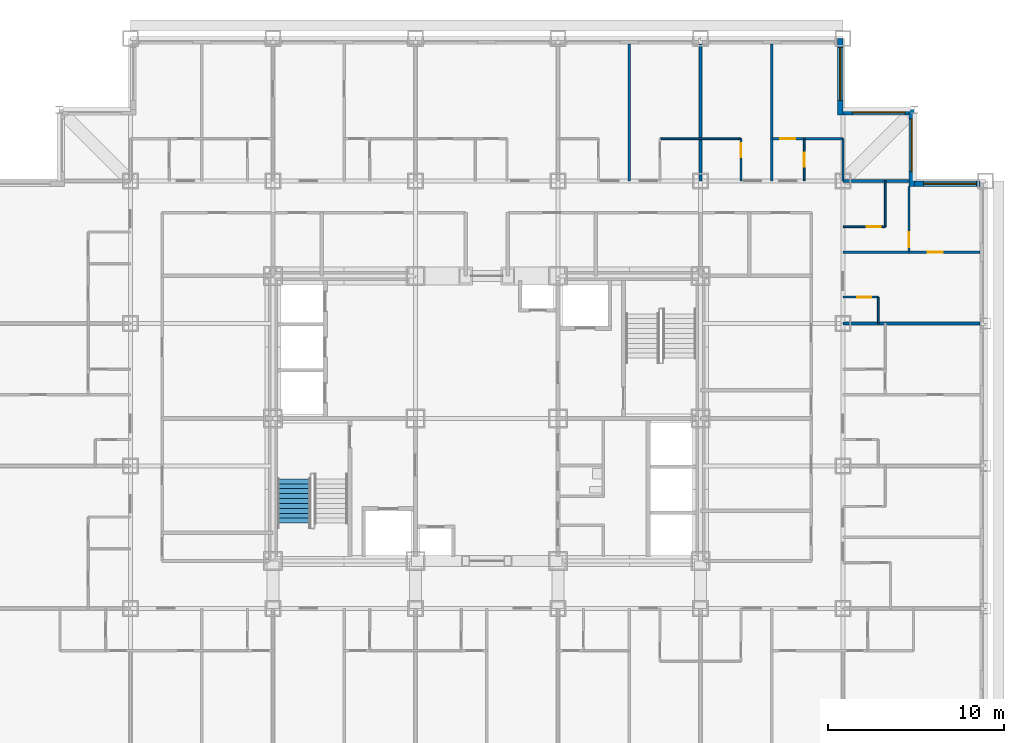
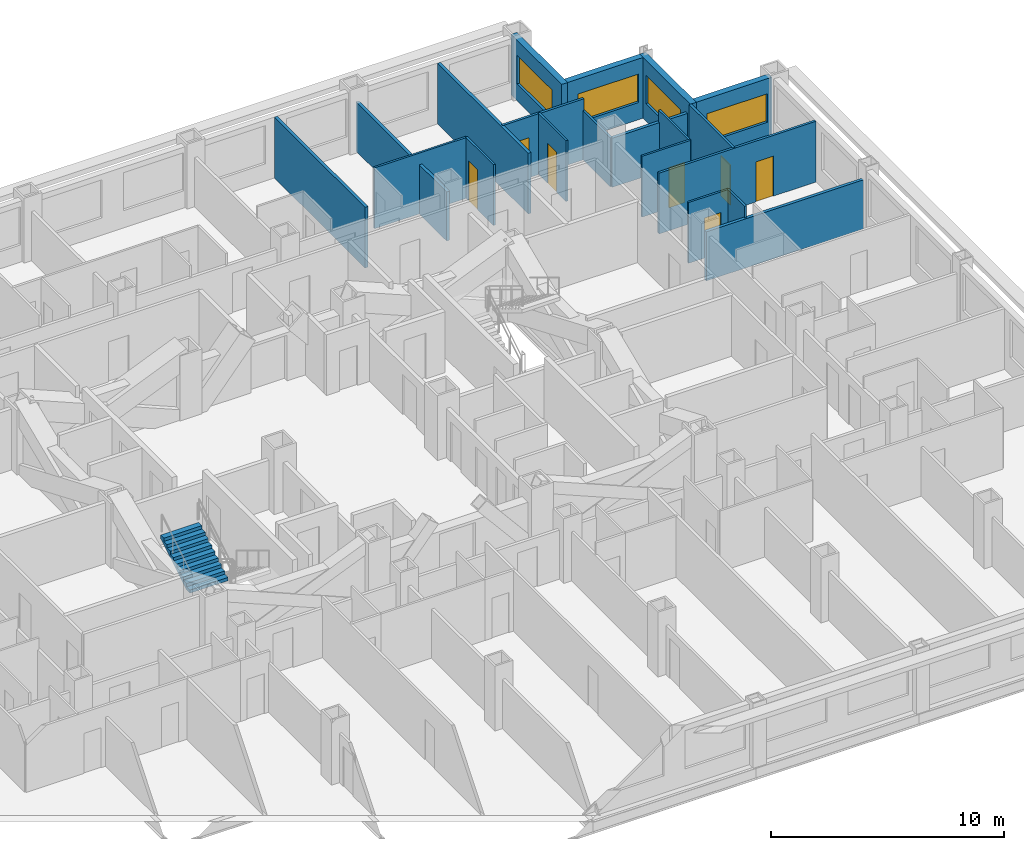
# One storey, part 11 of 14: 20 walls, 7 doors, 4 windows, 1 stair flight, 11 openings, 1 element without a shape of its own.
"""IFC4 building model written with IfcOpenShell, lengths in metres."""

from ifc_helpers import new_model, si_unit, direction, frame, frame_2d, origin, place, context, subcontext, project, spatial, rectangle, extrude, polygons, source, transform, mapped, material, layer, layer_set, type_object, element, fill, aggregate, save


model = new_model("IFC4")

# Units and contexts
model_context = context("Model", 3, precision=1e-05, world=origin(), true_north=direction((0.0, 1.0)))
body_context = subcontext(model_context, "Body", "Model", "MODEL_VIEW")
ifc_project = project(units=[si_unit("LENGTHUNIT", "METRE"), si_unit("AREAUNIT", "SQUARE_METRE"), si_unit("VOLUMEUNIT", "CUBIC_METRE"), si_unit("PLANEANGLEUNIT", "RADIAN"), si_unit("MASSUNIT", "GRAM", prefix="KILO")], contexts=[model_context])

# Site, building, storey
site_placement = place(None, origin())
site = spatial("IfcSite", under=ifc_project, at=site_placement, CompositionType="ELEMENT")
building_placement = place(site_placement, origin())
building = spatial("IfcBuilding", under=site, at=building_placement, Name="Kopane Lantern Tower", CompositionType="ELEMENT")
storey_placement = place(building_placement, frame((0.0, 0.0, 127.199951171875)))
storey = spatial("IfcBuildingStorey", under=building, at=storey_placement, Name="L32", CompositionType="ELEMENT", Elevation=127.199951171875)

# Wall, opening, door
ifc_material_1 = material(Name="Gypsum board on steel studs", Category="steel")
ifc_layer_1 = layer(ifc_material_1, 0.1201171875)
ifc_layer_set_1 = layer_set([ifc_layer_1], Name="APARTMENT INTERNAL WALL 120")
wall_type_1 = type_object("IfcWallType", Name="APARTMENT INTERNAL WALL 120", PredefinedType="PARTITIONING", material=ifc_layer_set_1)
wall_1_placement = place(storey_placement, frame((48.60009765625, 41.85009765625, 0.0), z_axis=(0.0, 0.0, 1.0), x_axis=(1.0, 0.0, 0.0)))
wall_1 = element("IfcWall", 1, at=wall_1_placement, inside=storey, type_object=wall_type_1, Name="Apartment Internal Wall 120 L32", PredefinedType="PARTITIONING", context=body_context, shape_type="SweptSolid", body=[
    extrude(rectangle(XDim=7.7998046875, YDim=0.1201171875, at=frame_2d((3.89990234375, 0.0))), origin(), (0.0, 0.0, 1.0), 3.18994140625),
])
opening_1_placement = place(wall_1_placement, frame((4.824951171875, 0.0, 0.0)))
opening_1 = element("IfcOpeningElement", 2, at=opening_1_placement, cuts=wall_1, Name="Opening L32-064", PredefinedType="OPENING", context=body_context, shape_type="SweptSolid", body=[
    extrude(rectangle(XDim=0.85009765625, YDim=2.10009765625, at=frame_2d((0.425048828125, 1.050048828125))), frame((0.0, 0.070068359375, 0.0), z_axis=(0.0, -1.0, 0.0), x_axis=(1.0, 0.0, 0.0)), (0.0, 0.0, 1.0), 0.14013671875),
])
ifc_material_2 = material(Name="Timber door set", Category="wood")
door_type_1 = type_object("IfcDoorType", Name="DOOR D4 850x2100", OperationType="SINGLE_SWING_LEFT", PredefinedType="DOOR", material=ifc_material_2)
door_1_placement = place(opening_1_placement, origin())
door_1 = element("IfcDoor", 3, at=door_1_placement, inside=storey, type_object=door_type_1, Name="Door L32-064", OperationType="SINGLE_SWING_LEFT", OverallHeight=2.10009765625, OverallWidth=0.85009765625, PredefinedType="DOOR", context=body_context, shape_type="SweptSolid", body=[
    extrude(rectangle(XDim=0.85009765625, YDim=2.10009765625, at=frame_2d((0.425048828125, 1.050048828125))), frame((0.0, 0.02490234375, 0.0), z_axis=(0.0, -1.0, 0.0), x_axis=(1.0, 0.0, 0.0)), (0.0, 0.0, 1.0), 0.050048828125),
])
fill(opening_1, door_1)

wall_2_placement = place(storey_placement, frame((44.550048828125, 48.300048828125, 0.0), z_axis=(0.0, 0.0, 1.0), x_axis=(1.0, 0.0, 0.0)))
wall_2 = element("IfcWall", 4, at=wall_2_placement, inside=storey, type_object=wall_type_1, Name="Apartment Internal Wall 120 L32", PredefinedType="PARTITIONING", context=body_context, shape_type="SweptSolid", body=[
    extrude(rectangle(XDim=4.050048828125, YDim=0.1201171875, at=frame_2d((2.02490234375, 0.0))), origin(), (0.0, 0.0, 1.0), 3.18994140625),
])
opening_2_placement = place(wall_2_placement, frame((0.47509765625, 0.0, 0.0)))
opening_2 = element("IfcOpeningElement", 5, at=opening_2_placement, cuts=wall_2, Name="Opening L32-075", PredefinedType="OPENING", context=body_context, shape_type="SweptSolid", body=[
    extrude(rectangle(XDim=0.85009765625, YDim=2.10009765625, at=frame_2d((0.425048828125, 1.050048828125))), frame((0.0, 0.070068359375, 0.0), z_axis=(0.0, -1.0, 0.0), x_axis=(1.0, 0.0, 0.0)), (0.0, 0.0, 1.0), 0.14013671875),
])
door_2_placement = place(opening_2_placement, origin())
door_2 = element("IfcDoor", 6, at=door_2_placement, inside=storey, type_object=door_type_1, Name="Door L32-075", OperationType="SINGLE_SWING_LEFT", OverallHeight=2.10009765625, OverallWidth=0.85009765625, PredefinedType="DOOR", context=body_context, shape_type="SweptSolid", body=[
    extrude(rectangle(XDim=0.85009765625, YDim=2.10009765625, at=frame_2d((0.425048828125, 1.050048828125))), frame((0.0, 0.02490234375, 0.0), z_axis=(0.0, -1.0, 0.0), x_axis=(1.0, 0.0, 0.0)), (0.0, 0.0, 1.0), 0.050048828125),
])
fill(opening_2, door_2)

wall_3_placement = place(storey_placement, frame((52.35009765625, 45.60009765625, 0.0), z_axis=(0.0, 0.0, 1.0), x_axis=(0.0, -1.0, 0.0)))
wall_3 = element("IfcWall", 7, at=wall_3_placement, inside=storey, type_object=wall_type_1, Name="Apartment Internal Wall 120 L32", PredefinedType="PARTITIONING", context=body_context, shape_type="SweptSolid", body=[
    extrude(rectangle(XDim=3.75, YDim=0.1201171875, at=frame_2d((1.875, 0.0))), origin(), (0.0, 0.0, 1.0), 3.18994140625),
])
opening_3_placement = place(wall_3_placement, frame((2.625, 0.0, 0.0)))
opening_3 = element("IfcOpeningElement", 8, at=opening_3_placement, cuts=wall_3, Name="Opening L32-087", PredefinedType="OPENING", context=body_context, shape_type="SweptSolid", body=[
    extrude(rectangle(XDim=0.85009765625, YDim=2.10009765625, at=frame_2d((0.425048828125, 1.050048828125))), frame((0.0, 0.070068359375, 0.0), z_axis=(0.0, -1.0, 0.0), x_axis=(1.0, 0.0, 0.0)), (0.0, 0.0, 1.0), 0.14013671875),
])
door_3_placement = place(opening_3_placement, origin())
door_3 = element("IfcDoor", 9, at=door_3_placement, inside=storey, type_object=door_type_1, Name="Door L32-087", OperationType="SINGLE_SWING_RIGHT", OverallHeight=2.10009765625, OverallWidth=0.85009765625, PredefinedType="DOOR", context=body_context, shape_type="SweptSolid", body=[
    extrude(rectangle(XDim=0.85009765625, YDim=2.10009765625, at=frame_2d((0.425048828125, 1.050048828125))), frame((0.0, 0.02490234375, 0.0), z_axis=(0.0, -1.0, 0.0), x_axis=(1.0, 0.0, 0.0)), (0.0, 0.0, 1.0), 0.050048828125),
])
fill(opening_3, door_3)

# Wall
ifc_material_3 = material(Name="Moisture-resistant board on steel studs", Category="steel")
ifc_layer_2 = layer(ifc_material_3, 0.10009765625)
ifc_layer_set_2 = layer_set([ifc_layer_2], Name="BATHROOM WALL 100")
wall_type_2 = type_object("IfcWallType", Name="BATHROOM WALL 100", PredefinedType="PARTITIONING", material=ifc_layer_set_2)
wall_4_placement = place(storey_placement, frame((38.199951171875, 48.300048828125, 0.0), z_axis=(0.0, 0.0, 1.0), x_axis=(1.0, 0.0, 0.0)))
element("IfcWall", 10, at=wall_4_placement, inside=storey, type_object=wall_type_2, Name="Bathroom Wall 100 L32", PredefinedType="PARTITIONING", context=body_context, shape_type="SweptSolid", body=[
    extrude(rectangle(XDim=4.60009765625, YDim=0.10009765625, at=frame_2d((2.300048828125, 0.0))), origin(), (0.0, 0.0, 1.0), 3.18994140625),
])

# Wall, opening, door
wall_5_placement = place(storey_placement, frame((42.800048828125, 45.89990234375, 0.0), z_axis=(0.0, 0.0, 1.0), x_axis=(0.0, 1.0, 0.0)))
wall_5 = element("IfcWall", 11, at=wall_5_placement, inside=storey, type_object=wall_type_2, Name="Bathroom Wall 100 L32", PredefinedType="PARTITIONING", context=body_context, shape_type="SweptSolid", body=[
    extrude(rectangle(XDim=2.400146484375, YDim=0.10009765625, at=frame_2d((1.2001953125, 0.0))), origin(), (0.0, 0.0, 1.0), 3.18994140625),
])
opening_4_placement = place(wall_5_placement, frame((1.35009765625, 0.0, 0.0)))
opening_4 = element("IfcOpeningElement", 12, at=opening_4_placement, cuts=wall_5, Name="Opening L32-041", PredefinedType="OPENING", context=body_context, shape_type="SweptSolid", body=[
    extrude(rectangle(XDim=0.800048828125, YDim=2.10009765625, at=frame_2d((0.39990234375, 1.050048828125))), frame((0.0, 0.06005859375, 0.0), z_axis=(0.0, -1.0, 0.0), x_axis=(1.0, 0.0, 0.0)), (0.0, 0.0, 1.0), 0.1201171875),
])
ifc_material_4 = material(Name="Timber door set", Category="wood")
door_type_2 = type_object("IfcDoorType", Name="DOOR D2 800x2100", OperationType="SINGLE_SWING_LEFT", PredefinedType="DOOR", material=ifc_material_4)
door_4_placement = place(opening_4_placement, origin())
door_4 = element("IfcDoor", 13, at=door_4_placement, inside=storey, type_object=door_type_2, Name="Door L32-041", OperationType="SINGLE_SWING_RIGHT", OverallHeight=2.10009765625, OverallWidth=0.800048828125, PredefinedType="DOOR", context=body_context, shape_type="SweptSolid", body=[
    extrude(rectangle(XDim=0.800048828125, YDim=2.10009765625, at=frame_2d((0.39990234375, 1.050048828125))), frame((0.0, 0.02490234375, 0.0), z_axis=(0.0, -1.0, 0.0), x_axis=(1.0, 0.0, 0.0)), (0.0, 0.0, 1.0), 0.050048828125),
])
fill(opening_4, door_4)

# Wall
wall_6_placement = place(storey_placement, frame((50.60009765625, 37.800048828125, 0.0), z_axis=(0.0, 0.0, 1.0), x_axis=(0.0, 1.0, 0.0)))
element("IfcWall", 14, at=wall_6_placement, inside=storey, type_object=wall_type_2, Name="Bathroom Wall 100 L32", PredefinedType="PARTITIONING", context=body_context, shape_type="SweptSolid", body=[
    extrude(rectangle(XDim=1.5, YDim=0.10009765625, at=frame_2d((0.75, 0.0))), origin(), (0.0, 0.0, 1.0), 3.18994140625),
])

# Wall, opening, door
wall_7_placement = place(storey_placement, frame((48.60009765625, 39.300048828125, 0.0), z_axis=(0.0, 0.0, 1.0), x_axis=(1.0, 0.0, 0.0)))
wall_7 = element("IfcWall", 15, at=wall_7_placement, inside=storey, type_object=wall_type_2, Name="Bathroom Wall 100 L32", PredefinedType="PARTITIONING", context=body_context, shape_type="SweptSolid", body=[
    extrude(rectangle(XDim=2.0, YDim=0.10009765625, at=frame_2d((1.0, 0.0))), origin(), (0.0, 0.0, 1.0), 3.18994140625),
])
opening_5_placement = place(wall_7_placement, frame((0.800048828125, 0.0, 0.0)))
opening_5 = element("IfcOpeningElement", 16, at=opening_5_placement, cuts=wall_7, Name="Opening L32-061", PredefinedType="OPENING", context=body_context, shape_type="SweptSolid", body=[
    extrude(rectangle(XDim=0.800048828125, YDim=2.10009765625, at=frame_2d((0.39990234375, 1.050048828125))), frame((0.0, 0.06005859375, 0.0), z_axis=(0.0, -1.0, 0.0), x_axis=(1.0, 0.0, 0.0)), (0.0, 0.0, 1.0), 0.1201171875),
])
door_5_placement = place(opening_5_placement, origin())
door_5 = element("IfcDoor", 17, at=door_5_placement, inside=storey, type_object=door_type_2, Name="Door L32-061", OperationType="SINGLE_SWING_LEFT", OverallHeight=2.10009765625, OverallWidth=0.800048828125, PredefinedType="DOOR", context=body_context, shape_type="SweptSolid", body=[
    extrude(rectangle(XDim=0.800048828125, YDim=2.10009765625, at=frame_2d((0.39990234375, 1.050048828125))), frame((0.0, 0.02490234375, 0.0), z_axis=(0.0, -1.0, 0.0), x_axis=(1.0, 0.0, 0.0)), (0.0, 0.0, 1.0), 0.050048828125),
])
fill(opening_5, door_5)

# Wall
wall_8_placement = place(storey_placement, frame((51.0, 43.300048828125, 0.0), z_axis=(0.0, 0.0, 1.0), x_axis=(0.0, 1.0, 0.0)))
element("IfcWall", 18, at=wall_8_placement, inside=storey, type_object=wall_type_2, Name="Bathroom Wall 100 L32", PredefinedType="PARTITIONING", context=body_context, shape_type="SweptSolid", body=[
    extrude(rectangle(XDim=2.599853515625, YDim=0.10009765625, at=frame_2d((1.2998046875, 0.0))), origin(), (0.0, 0.0, 1.0), 3.18994140625),
])

# Wall, opening, door
wall_9_placement = place(storey_placement, frame((48.60009765625, 43.300048828125, 0.0), z_axis=(0.0, 0.0, 1.0), x_axis=(1.0, 0.0, 0.0)))
wall_9 = element("IfcWall", 19, at=wall_9_placement, inside=storey, type_object=wall_type_2, Name="Bathroom Wall 100 L32", PredefinedType="PARTITIONING", context=body_context, shape_type="SweptSolid", body=[
    extrude(rectangle(XDim=2.39990234375, YDim=0.10009765625, at=frame_2d((1.199951171875, 0.0))), origin(), (0.0, 0.0, 1.0), 3.18994140625),
])
opening_6_placement = place(wall_9_placement, frame((1.35009765625, 0.0, 0.0)))
opening_6 = element("IfcOpeningElement", 20, at=opening_6_placement, cuts=wall_9, Name="Opening L32-063", PredefinedType="OPENING", context=body_context, shape_type="SweptSolid", body=[
    extrude(rectangle(XDim=0.800048828125, YDim=2.10009765625, at=frame_2d((0.39990234375, 1.050048828125))), frame((0.0, 0.06005859375, 0.0), z_axis=(0.0, -1.0, 0.0), x_axis=(1.0, 0.0, 0.0)), (0.0, 0.0, 1.0), 0.1201171875),
])
door_6_placement = place(opening_6_placement, origin())
door_6 = element("IfcDoor", 21, at=door_6_placement, inside=storey, type_object=door_type_2, Name="Door L32-063", OperationType="SINGLE_SWING_RIGHT", OverallHeight=2.10009765625, OverallWidth=0.800048828125, PredefinedType="DOOR", context=body_context, shape_type="SweptSolid", body=[
    extrude(rectangle(XDim=0.800048828125, YDim=2.10009765625, at=frame_2d((0.39990234375, 1.050048828125))), frame((0.0, 0.02490234375, 0.0), z_axis=(0.0, -1.0, 0.0), x_axis=(1.0, 0.0, 0.0)), (0.0, 0.0, 1.0), 0.050048828125),
])
fill(opening_6, door_6)

wall_10_placement = place(storey_placement, frame((46.39990234375, 45.89990234375, 0.0), z_axis=(0.0, 0.0, 1.0), x_axis=(0.0, 1.0, 0.0)))
wall_10 = element("IfcWall", 22, at=wall_10_placement, inside=storey, type_object=wall_type_2, Name="Bathroom Wall 100 L32", PredefinedType="PARTITIONING", context=body_context, shape_type="SweptSolid", body=[
    extrude(rectangle(XDim=2.400146484375, YDim=0.10009765625, at=frame_2d((1.2001953125, 0.0))), origin(), (0.0, 0.0, 1.0), 3.18994140625),
])
opening_7_placement = place(wall_10_placement, frame((0.800048828125, 0.0, 0.0)))
opening_7 = element("IfcOpeningElement", 23, at=opening_7_placement, cuts=wall_10, Name="Opening L32-073", PredefinedType="OPENING", context=body_context, shape_type="SweptSolid", body=[
    extrude(rectangle(XDim=0.800048828125, YDim=2.10009765625, at=frame_2d((0.39990234375, 1.050048828125))), frame((0.0, 0.06005859375, 0.0), z_axis=(0.0, -1.0, 0.0), x_axis=(1.0, 0.0, 0.0)), (0.0, 0.0, 1.0), 0.1201171875),
])
door_7_placement = place(opening_7_placement, origin())
door_7 = element("IfcDoor", 24, at=door_7_placement, inside=storey, type_object=door_type_2, Name="Door L32-073", OperationType="SINGLE_SWING_RIGHT", OverallHeight=2.10009765625, OverallWidth=0.800048828125, PredefinedType="DOOR", context=body_context, shape_type="SweptSolid", body=[
    extrude(rectangle(XDim=0.800048828125, YDim=2.10009765625, at=frame_2d((0.39990234375, 1.050048828125))), frame((0.0, 0.02490234375, 0.0), z_axis=(0.0, -1.0, 0.0), x_axis=(1.0, 0.0, 0.0)), (0.0, 0.0, 1.0), 0.050048828125),
])
fill(opening_7, door_7)

# Walls
wall_11_placement = place(storey_placement, frame((48.60009765625, 45.89990234375, 0.0), z_axis=(0.0, 0.0, 1.0), x_axis=(0.0, 1.0, 0.0)))
element("IfcWall", 25, at=wall_11_placement, inside=storey, type_object=wall_type_2, Name="Bathroom Wall 100 L32", PredefinedType="PARTITIONING", context=body_context, shape_type="SweptSolid", body=[
    extrude(rectangle(XDim=2.400146484375, YDim=0.10009765625, at=frame_2d((1.2001953125, 0.0))), origin(), (0.0, 0.0, 1.0), 2.577880859375),
])
ifc_material_5 = material(Name="Gypsum board on steel studs", Category="steel")
ifc_layer_3 = layer(ifc_material_5, 0.14990234375)
ifc_layer_set_3 = layer_set([ifc_layer_3], Name="DEMISING WALL 150 EI 60")
wall_type_3 = type_object("IfcWallType", Name="DEMISING WALL 150 EI 60", PredefinedType="PARTITIONING", material=ifc_layer_set_3)
wall_12_placement = place(storey_placement, frame((36.449951171875, 45.89990234375, 0.0), z_axis=(0.0, 0.0, 1.0), x_axis=(0.0, 1.0, 0.0)))
element("IfcWall", 26, at=wall_12_placement, inside=storey, type_object=wall_type_3, Name="Demising Wall 150 Ei 60 L32", PredefinedType="PARTITIONING", context=body_context, shape_type="SweptSolid", body=[
    extrude(rectangle(XDim=7.800048828125, YDim=0.14990234375, at=frame_2d((3.89990234375, 0.0))), origin(), (0.0, 0.0, 1.0), 3.18994140625),
])
wall_13_placement = place(storey_placement, frame((40.5, 45.89990234375, 0.0), z_axis=(0.0, 0.0, 1.0), x_axis=(0.0, 1.0, 0.0)))
element("IfcWall", 27, at=wall_13_placement, inside=storey, type_object=wall_type_3, Name="Demising Wall 150 Ei 60 L32", PredefinedType="PARTITIONING", context=body_context, shape_type="SweptSolid", body=[
    extrude(rectangle(XDim=7.800048828125, YDim=0.14990234375, at=frame_2d((3.89990234375, 0.0))), origin(), (0.0, 0.0, 1.0), 2.577880859375),
])
wall_14_placement = place(storey_placement, frame((48.60009765625, 37.800048828125, 0.0), z_axis=(0.0, 0.0, 1.0), x_axis=(1.0, 0.0, 0.0)))
element("IfcWall", 28, at=wall_14_placement, inside=storey, type_object=wall_type_3, Name="Demising Wall 150 Ei 60 L32", PredefinedType="PARTITIONING", context=body_context, shape_type="SweptSolid", body=[
    extrude(rectangle(XDim=7.7998046875, YDim=0.14990234375, at=frame_2d((3.89990234375, 0.0))), origin(), (0.0, 0.0, 1.0), 2.577880859375),
])
wall_15_placement = place(storey_placement, frame((48.60009765625, 45.89990234375, 0.0), z_axis=(0.0, 0.0, 1.0), x_axis=(1.0, 0.0, 0.0)))
element("IfcWall", 29, at=wall_15_placement, inside=storey, type_object=wall_type_3, Name="Demising Wall 150 Ei 60 L32", PredefinedType="PARTITIONING", context=body_context, shape_type="SweptSolid", body=[
    extrude(rectangle(XDim=3.75, YDim=0.14990234375, at=frame_2d((1.875, 0.0))), origin(), (0.0, 0.0, 1.0), 2.577880859375),
])
wall_16_placement = place(storey_placement, frame((44.550048828125, 45.89990234375, 0.0), z_axis=(0.0, 0.0, 1.0), x_axis=(0.0, 1.0, 0.0)))
element("IfcWall", 30, at=wall_16_placement, inside=storey, type_object=wall_type_3, Name="Demising Wall 150 Ei 60 L32", PredefinedType="PARTITIONING", context=body_context, shape_type="SweptSolid", body=[
    extrude(rectangle(XDim=7.800048828125, YDim=0.14990234375, at=frame_2d((3.89990234375, 0.0))), origin(), (0.0, 0.0, 1.0), 3.18994140625),
])

# Wall, opening, window
ifc_material_6 = material(Name="Terracotta rainscreen on light steel framing", Category="masonry")
ifc_layer_4 = layer(ifc_material_6, 0.300048828125)
ifc_layer_set_4 = layer_set([ifc_layer_4], Name="EXTERNAL WALL EW1 300 TERRACOTTA")
wall_type_4 = type_object("IfcWallType", Name="EXTERNAL WALL EW1 300 TERRACOTTA", PredefinedType="SOLIDWALL", material=ifc_layer_set_4)
wall_17_placement = place(storey_placement, frame((56.39990234375, 45.75, 0.0), z_axis=(0.0, 0.0, 1.0), x_axis=(-1.0, 0.0, 0.0)))
wall_17 = element("IfcWall", 31, at=wall_17_placement, inside=storey, type_object=wall_type_4, Name="External wall N L32", PredefinedType="SOLIDWALL", context=body_context, shape_type="SweptSolid", body=[
    extrude(rectangle(XDim=3.75, YDim=0.300048828125, at=frame_2d((1.875, 0.0))), origin(), (0.0, 0.0, 1.0), 3.18994140625),
])
opening_8_placement = place(wall_17_placement, frame((0.22509765625, 0.0, 0.89990234375)))
opening_8 = element("IfcOpeningElement", 32, at=opening_8_placement, cuts=wall_17, Name="Opening WR300150", PredefinedType="OPENING", context=body_context, shape_type="SweptSolid", body=[
    extrude(rectangle(XDim=3.0, YDim=1.5, at=frame_2d((1.5, 0.75))), frame((0.0, 0.159912109375, 0.0), z_axis=(0.0, -1.0, 0.0), x_axis=(1.0, 0.0, 0.0)), (0.0, 0.0, 1.0), 0.320068359375),
])
ifc_material_7 = material(Name="Aluminium and clear glass", Category="aluminium")
window_type = type_object("IfcWindowType", Name="RIBBON WINDOW WR300150 3000x1500", PartitioningType="SINGLE_PANEL", PredefinedType="WINDOW", material=ifc_material_7)
window_1_placement = place(opening_8_placement, origin())
window_1 = element("IfcWindow", 33, at=window_1_placement, inside=storey, type_object=window_type, Name="Window N L32", OverallHeight=1.5, OverallWidth=3.0, PartitioningType="SINGLE_PANEL", PredefinedType="WINDOW", context=body_context, shape_type="SweptSolid", body=[
    extrude(rectangle(XDim=3.0, YDim=1.5, at=frame_2d((1.5, 0.75))), frame((0.0, 0.030029296875, 0.0), z_axis=(0.0, -1.0, 0.0), x_axis=(1.0, 0.0, 0.0)), (0.0, 0.0, 1.0), 0.06005859375),
])
fill(opening_8, window_1)

wall_18_placement = place(storey_placement, frame((52.5, 45.60009765625, 0.0), z_axis=(0.0, 0.0, 1.0), x_axis=(0.0, 1.0, 0.0)))
wall_18 = element("IfcWall", 34, at=wall_18_placement, inside=storey, type_object=wall_type_4, Name="External wall E L32", PredefinedType="SOLIDWALL", context=body_context, shape_type="SweptSolid", body=[
    extrude(rectangle(XDim=4.349853515625, YDim=0.300048828125, at=frame_2d((2.1748046875, 0.0))), origin(), (0.0, 0.0, 1.0), 3.18994140625),
])
opening_9_placement = place(wall_18_placement, frame((0.824951171875, 0.0, 0.89990234375)))
opening_9 = element("IfcOpeningElement", 35, at=opening_9_placement, cuts=wall_18, Name="Opening WR300150", PredefinedType="OPENING", context=body_context, shape_type="SweptSolid", body=[
    extrude(rectangle(XDim=3.0, YDim=1.5, at=frame_2d((1.5, 0.75))), frame((0.0, 0.159912109375, 0.0), z_axis=(0.0, -1.0, 0.0), x_axis=(1.0, 0.0, 0.0)), (0.0, 0.0, 1.0), 0.320068359375),
])
window_2_placement = place(opening_9_placement, origin())
window_2 = element("IfcWindow", 36, at=window_2_placement, inside=storey, type_object=window_type, Name="Window E L32", OverallHeight=1.5, OverallWidth=3.0, PartitioningType="SINGLE_PANEL", PredefinedType="WINDOW", context=body_context, shape_type="SweptSolid", body=[
    extrude(rectangle(XDim=3.0, YDim=1.5, at=frame_2d((1.5, 0.75))), frame((0.0, 0.030029296875, 0.0), z_axis=(0.0, -1.0, 0.0), x_axis=(1.0, 0.0, 0.0)), (0.0, 0.0, 1.0), 0.06005859375),
])
fill(opening_9, window_2)

wall_19_placement = place(storey_placement, frame((52.35009765625, 49.800048828125, 0.0), z_axis=(0.0, 0.0, 1.0), x_axis=(-1.0, 0.0, 0.0)))
wall_19 = element("IfcWall", 37, at=wall_19_placement, inside=storey, type_object=wall_type_4, Name="External wall N L32", PredefinedType="SOLIDWALL", context=body_context, shape_type="SweptSolid", body=[
    extrude(rectangle(XDim=3.75, YDim=0.300048828125, at=frame_2d((1.875, 0.0))), origin(), (0.0, 0.0, 1.0), 3.18994140625),
])
opening_10_placement = place(wall_19_placement, frame((0.22509765625, 0.0, 0.89990234375)))
opening_10 = element("IfcOpeningElement", 38, at=opening_10_placement, cuts=wall_19, Name="Opening WR300150", PredefinedType="OPENING", context=body_context, shape_type="SweptSolid", body=[
    extrude(rectangle(XDim=3.0, YDim=1.5, at=frame_2d((1.5, 0.75))), frame((0.0, 0.159912109375, 0.0), z_axis=(0.0, -1.0, 0.0), x_axis=(1.0, 0.0, 0.0)), (0.0, 0.0, 1.0), 0.320068359375),
])
window_3_placement = place(opening_10_placement, origin())
window_3 = element("IfcWindow", 39, at=window_3_placement, inside=storey, type_object=window_type, Name="Window N L32", OverallHeight=1.5, OverallWidth=3.0, PartitioningType="SINGLE_PANEL", PredefinedType="WINDOW", context=body_context, shape_type="SweptSolid", body=[
    extrude(rectangle(XDim=3.0, YDim=1.5, at=frame_2d((1.5, 0.75))), frame((0.0, 0.030029296875, 0.0), z_axis=(0.0, -1.0, 0.0), x_axis=(1.0, 0.0, 0.0)), (0.0, 0.0, 1.0), 0.06005859375),
])
fill(opening_10, window_3)

wall_20_placement = place(storey_placement, frame((48.449951171875, 49.64990234375, 0.0), z_axis=(0.0, 0.0, 1.0), x_axis=(0.0, 1.0, 0.0)))
wall_20 = element("IfcWall", 40, at=wall_20_placement, inside=storey, type_object=wall_type_4, Name="External wall E L32", PredefinedType="SOLIDWALL", context=body_context, shape_type="SweptSolid", body=[
    extrude(rectangle(XDim=4.35009765625, YDim=0.300048828125, at=frame_2d((2.175048828125, 0.0))), origin(), (0.0, 0.0, 1.0), 3.18994140625),
])
opening_11_placement = place(wall_20_placement, frame((0.824951171875, 0.0, 0.89990234375)))
opening_11 = element("IfcOpeningElement", 41, at=opening_11_placement, cuts=wall_20, Name="Opening WR300150", PredefinedType="OPENING", context=body_context, shape_type="SweptSolid", body=[
    extrude(rectangle(XDim=3.0, YDim=1.5, at=frame_2d((1.5, 0.75))), frame((0.0, 0.159912109375, 0.0), z_axis=(0.0, -1.0, 0.0), x_axis=(1.0, 0.0, 0.0)), (0.0, 0.0, 1.0), 0.320068359375),
])
window_4_placement = place(opening_11_placement, origin())
window_4 = element("IfcWindow", 42, at=window_4_placement, inside=storey, type_object=window_type, Name="Window E L32", OverallHeight=1.5, OverallWidth=3.0, PartitioningType="SINGLE_PANEL", PredefinedType="WINDOW", context=body_context, shape_type="SweptSolid", body=[
    extrude(rectangle(XDim=3.0, YDim=1.5, at=frame_2d((1.5, 0.75))), frame((0.0, 0.030029296875, 0.0), z_axis=(0.0, -1.0, 0.0), x_axis=(1.0, 0.0, 0.0)), (0.0, 0.0, 1.0), 0.06005859375),
])
fill(opening_11, window_4)

# Stair, stair flight
ifc_material_8 = material(Name="Steel S355JR", Category="steel")
stair_type = type_object("IfcStairType", Name="EXIT STAIR 1900 HALF TURN", PredefinedType="HALF_TURN_STAIR", material=ifc_material_8)
stair_placement = place(storey_placement, origin())
stair = element("IfcStair", 43, at=stair_placement, inside=storey, type_object=stair_type, Name="Exit stair ST1 L32", PredefinedType="HALF_TURN_STAIR")
ifc_material_9 = material(Name="Steel S355JR", Category="steel")
stair_flight_type = type_object("IfcStairFlightType", Name="STAIR FLIGHT 1900 STEEL", PredefinedType="STRAIGHT", material=ifc_material_9)
shared_shape = source(origin(), body_context, "Body", "Tessellation", [
    polygons([(2.520019531, 0.949951172, 1.530029297), (2.239990234, 0.949951172, 1.530029297), (2.239990234, -0.949951172, 1.530029297), (2.520019531, -0.949951172, 1.530029297), (0.288818359, 0.949951172, 0.0), (2.520019531, 0.949951172, 1.354736328), (2.520019531, -0.949951172, 1.354736328), (0.288818359, -0.949951172, 0.0), (0.0, 0.949951172, 0.0), (0.0, -0.949951172, 0.0), (0.280029297, 0.949951172, 0.169921875), (0.0, 0.949951172, 0.169921875), (0.0, -0.949951172, 0.169921875), (0.280029297, -0.949951172, 0.169921875), (0.280029297, 0.949951172, 0.340087891), (0.280029297, -0.949951172, 0.340087891), (0.560058594, 0.949951172, 0.340087891), (0.560058594, -0.949951172, 0.340087891), (0.560058594, 0.949951172, 0.510009766), (0.560058594, -0.949951172, 0.510009766), (0.840087891, 0.949951172, 0.510009766), (0.840087891, -0.949951172, 0.510009766), (0.840087891, 0.949951172, 0.679931641), (0.840087891, -0.949951172, 0.679931641), (1.120117188, 0.949951172, 0.679931641), (1.120117188, -0.949951172, 0.679931641), (1.120117188, 0.949951172, 0.850097656), (1.120117188, -0.949951172, 0.850097656), (1.399902344, 0.949951172, 0.850097656), (1.399902344, -0.949951172, 0.850097656), (1.399902344, 0.949951172, 1.020019531), (1.399902344, -0.949951172, 1.020019531), (1.679931641, 0.949951172, 1.020019531), (1.679931641, -0.949951172, 1.020019531), (1.679931641, 0.949951172, 1.189941406), (1.679931641, -0.949951172, 1.189941406), (1.959960938, 0.949951172, 1.189941406), (1.959960938, -0.949951172, 1.189941406), (1.959960938, 0.949951172, 1.360107422), (1.959960938, -0.949951172, 1.360107422), (2.239990234, 0.949951172, 1.360107422), (2.239990234, -0.949951172, 1.360107422), (0.0, 0.0, 0.004592483), (0.0, 0.0, 0.009184966), (0.0, 0.0, 0.013777449), (0.0, 0.0, 0.018369932), (0.0, 0.0, 0.022962416), (0.0, 0.0, 0.027554899), (0.0, 0.0, 0.032147382), (0.0, 0.0, 0.036739865), (0.0, 0.0, 0.041332348), (0.0, 0.0, 0.045924831), (0.0, 0.0, 0.050517314), (0.0, 0.0, 0.055109797), (0.0, 0.0, 0.05970228), (0.0, 0.0, 0.064294764), (0.0, 0.0, 0.068887247), (0.0, 0.0, 0.07347973), (0.0, 0.0, 0.078072213), (0.0, 0.0, 0.082664696), (0.0, 0.0, 0.087257179), (0.0, 0.0, 0.091849662), (0.0, 0.0, 0.096442145), (0.0, 0.0, 0.101034628), (0.0, 0.0, 0.105627111), (0.0, 0.0, 0.110219595), (0.0, 0.0, 0.114812078), (0.0, 0.0, 0.119404561), (0.0, 0.0, 0.123997044), (0.0, 0.0, 0.128589527), (0.0, 0.0, 0.13318201), (0.0, 0.0, 0.137774493), (0.0, 0.0, 0.142366976), (0.0, 0.0, 0.146959459), (0.0, 0.0, 0.151551943), (0.0, 0.0, 0.156144426), (0.0, 0.0, 0.160736909), (0.0, 0.0, 0.165329392), (2.520019531, 0.0, 1.359473976), (2.520019531, 0.0, 1.364211624), (2.520019531, 0.0, 1.368949272), (2.520019531, 0.0, 1.373686919), (2.520019531, 0.0, 1.378424567), (2.520019531, 0.0, 1.383162215), (2.520019531, 0.0, 1.387899863), (2.520019531, 0.0, 1.392637511), (2.520019531, 0.0, 1.397375158), (2.520019531, 0.0, 1.402112806), (2.520019531, 0.0, 1.406850454), (2.520019531, 0.0, 1.411588102), (2.520019531, 0.0, 1.41632575), (2.520019531, 0.0, 1.421063397), (2.520019531, 0.0, 1.425801045), (2.520019531, 0.0, 1.430538693), (2.520019531, 0.0, 1.435276341), (2.520019531, 0.0, 1.440013989), (2.520019531, 0.0, 1.444751636), (2.520019531, 0.0, 1.449489284), (2.520019531, 0.0, 1.454226932), (2.520019531, 0.0, 1.45896458), (2.520019531, 0.0, 1.463702228), (2.520019531, 0.0, 1.468439875), (2.520019531, 0.0, 1.473177523), (2.520019531, 0.0, 1.477915171), (2.520019531, 0.0, 1.482652819), (2.520019531, 0.0, 1.487390467), (2.520019531, 0.0, 1.492128114), (2.520019531, 0.0, 1.496865762), (2.520019531, 0.0, 1.50160341), (2.520019531, 0.0, 1.506341058), (2.520019531, 0.0, 1.511078706), (2.520019531, 0.0, 1.515816353), (2.520019531, 0.0, 1.520554001), (2.520019531, 0.0, 1.525291649)], [[[1, 2, 3]], [[1, 3, 4]], [[5, 6, 7]], [[5, 7, 8]], [[9, 5, 8]], [[9, 8, 10]], [[11, 12, 13]], [[11, 13, 14]], [[15, 11, 14]], [[15, 14, 16]], [[17, 15, 16]], [[17, 16, 18]], [[19, 17, 18]], [[19, 18, 20]], [[21, 19, 20]], [[21, 20, 22]], [[23, 21, 22]], [[23, 22, 24]], [[25, 23, 24]], [[25, 24, 26]], [[27, 25, 26]], [[27, 26, 28]], [[29, 27, 28]], [[29, 28, 30]], [[31, 29, 30]], [[31, 30, 32]], [[33, 31, 32]], [[33, 32, 34]], [[35, 33, 34]], [[35, 34, 36]], [[37, 35, 36]], [[37, 36, 38]], [[39, 37, 38]], [[39, 38, 40]], [[41, 39, 40]], [[41, 40, 42]], [[2, 41, 42]], [[2, 42, 3]], [[41, 1, 6]], [[37, 41, 6]], [[2, 1, 41]], [[33, 37, 6]], [[39, 41, 37]], [[35, 37, 33]], [[31, 33, 29]], [[5, 21, 25]], [[27, 29, 25]], [[17, 21, 5]], [[23, 25, 21]], [[11, 17, 5]], [[19, 21, 17]], [[9, 11, 5]], [[15, 17, 11]], [[12, 11, 9]], [[6, 5, 25]], [[6, 25, 29]], [[6, 29, 33]], [[7, 4, 42]], [[7, 42, 38]], [[42, 4, 3]], [[7, 38, 34]], [[38, 42, 40]], [[34, 38, 36]], [[30, 34, 32]], [[26, 22, 8]], [[26, 30, 28]], [[8, 22, 18]], [[22, 26, 24]], [[8, 18, 14]], [[18, 22, 20]], [[8, 14, 10]], [[14, 18, 16]], [[10, 14, 13]], [[26, 8, 7]], [[30, 26, 7]], [[34, 30, 7]], [[10, 43, 9]], [[10, 44, 43]], [[9, 43, 44]], [[10, 45, 44]], [[9, 44, 45]], [[10, 46, 45]], [[9, 45, 46]], [[10, 47, 46]], [[9, 46, 47]], [[10, 48, 47]], [[9, 47, 48]], [[10, 49, 48]], [[9, 48, 49]], [[10, 50, 49]], [[9, 49, 50]], [[10, 51, 50]], [[9, 50, 51]], [[10, 52, 51]], [[9, 51, 52]], [[10, 53, 52]], [[9, 52, 53]], [[10, 54, 53]], [[9, 53, 54]], [[10, 55, 54]], [[9, 54, 55]], [[10, 56, 55]], [[9, 55, 56]], [[10, 57, 56]], [[9, 56, 57]], [[10, 58, 57]], [[9, 57, 58]], [[10, 59, 58]], [[9, 58, 59]], [[10, 60, 59]], [[9, 59, 60]], [[10, 61, 60]], [[9, 60, 61]], [[10, 62, 61]], [[9, 61, 62]], [[10, 63, 62]], [[9, 62, 63]], [[10, 64, 63]], [[9, 63, 64]], [[10, 65, 64]], [[9, 64, 65]], [[10, 66, 65]], [[9, 65, 66]], [[10, 67, 66]], [[9, 66, 67]], [[10, 68, 67]], [[9, 67, 68]], [[10, 69, 68]], [[9, 68, 69]], [[10, 70, 69]], [[9, 69, 70]], [[10, 71, 70]], [[9, 70, 71]], [[10, 72, 71]], [[9, 71, 72]], [[10, 73, 72]], [[9, 72, 73]], [[10, 74, 73]], [[9, 73, 74]], [[10, 75, 74]], [[9, 74, 75]], [[10, 76, 75]], [[9, 75, 76]], [[10, 77, 76]], [[9, 76, 77]], [[10, 78, 77]], [[9, 77, 78]], [[10, 13, 78]], [[78, 13, 12]], [[9, 78, 12]], [[7, 6, 79]], [[7, 79, 80]], [[6, 80, 79]], [[7, 80, 81]], [[6, 81, 80]], [[7, 81, 82]], [[6, 82, 81]], [[7, 82, 83]], [[6, 83, 82]], [[7, 83, 84]], [[6, 84, 83]], [[7, 84, 85]], [[6, 85, 84]], [[7, 85, 86]], [[6, 86, 85]], [[7, 86, 87]], [[6, 87, 86]], [[7, 87, 88]], [[6, 88, 87]], [[7, 88, 89]], [[6, 89, 88]], [[7, 89, 90]], [[6, 90, 89]], [[7, 90, 91]], [[6, 91, 90]], [[7, 91, 92]], [[6, 92, 91]], [[7, 92, 93]], [[6, 93, 92]], [[7, 93, 94]], [[6, 94, 93]], [[7, 94, 95]], [[6, 95, 94]], [[7, 95, 96]], [[6, 96, 95]], [[7, 96, 97]], [[6, 97, 96]], [[7, 97, 98]], [[6, 98, 97]], [[7, 98, 99]], [[6, 99, 98]], [[7, 99, 100]], [[6, 100, 99]], [[7, 100, 101]], [[6, 101, 100]], [[7, 101, 102]], [[6, 102, 101]], [[7, 102, 103]], [[6, 103, 102]], [[7, 103, 104]], [[6, 104, 103]], [[7, 104, 105]], [[6, 105, 104]], [[7, 105, 106]], [[6, 106, 105]], [[7, 106, 107]], [[6, 107, 106]], [[7, 107, 108]], [[6, 108, 107]], [[7, 108, 109]], [[6, 109, 108]], [[7, 109, 110]], [[6, 110, 109]], [[7, 110, 111]], [[6, 111, 110]], [[7, 111, 112]], [[6, 112, 111]], [[7, 112, 113]], [[6, 113, 112]], [[7, 113, 114]], [[6, 114, 113]], [[7, 114, 4]], [[114, 1, 4]], [[6, 1, 114]]], closed=True),
])
stair_flight_placement = place(storey_placement, frame((17.39990234375, 26.449951171875, 1.699951171875), z_axis=(0.0, 0.0, 1.0), x_axis=(0.0, 1.0, 0.0)))
stair_flight = element("IfcStairFlight", 44, at=stair_flight_placement, type_object=stair_flight_type, Name="ST1 flight 2", NumberOfRisers=10, NumberOfTreads=9, PredefinedType="STRAIGHT", RiserHeight=0.17, TreadLength=0.28, context=body_context, shape_type="MappedRepresentation", body=[
    mapped(shared_shape, transform((0.0, 0.0, 0.0))),
])
aggregate(stair, [stair_flight])

save(model, "model.ifc")
